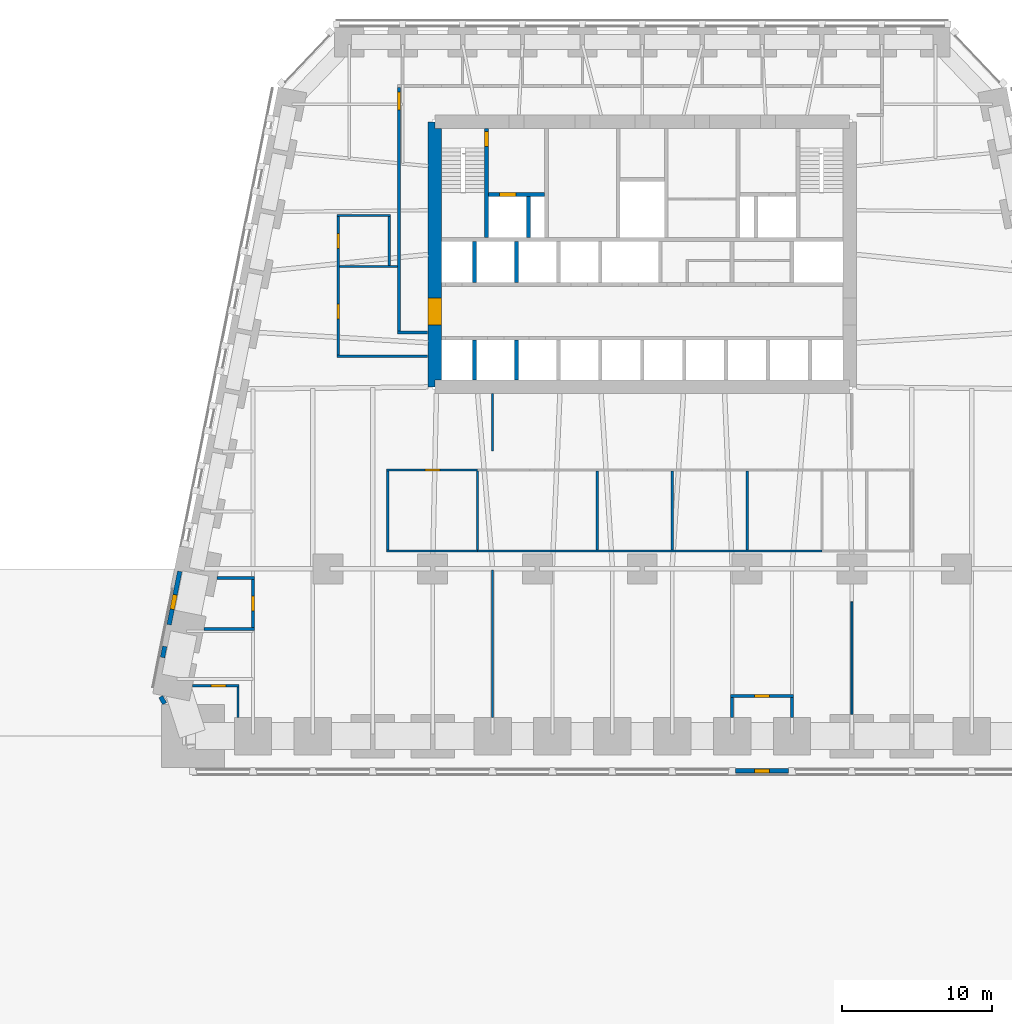
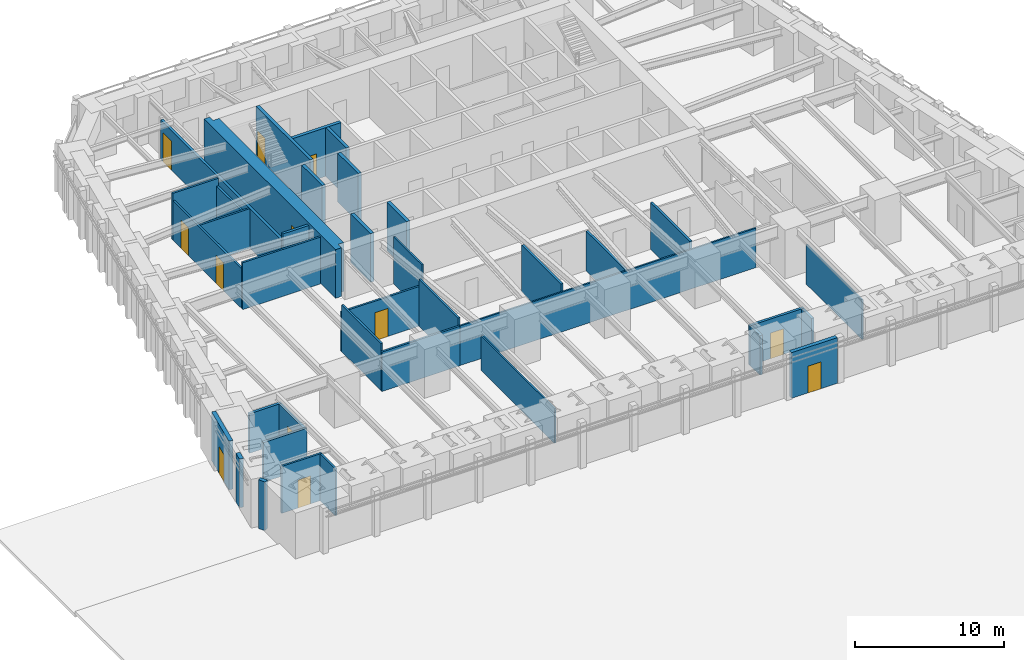
# One storey, part 12 of 18: 38 walls, 12 doors, 12 openings.
"""IFC4 building model written with IfcOpenShell, lengths in metres."""

from ifc_helpers import new_model, si_unit, direction, frame, frame_2d, origin, place, context, subcontext, project, spatial, polyline, rectangle, outline, extrude, material, layer, layer_set, type_object, element, fill, save


model = new_model("IFC4")

# Units and contexts
model_context = context("Model", 3, precision=1e-05, world=origin(), true_north=direction((0.0, 1.0)))
body_context = subcontext(model_context, "Body", "Model", "MODEL_VIEW")
ifc_project = project(units=[si_unit("LENGTHUNIT", "METRE"), si_unit("AREAUNIT", "SQUARE_METRE"), si_unit("VOLUMEUNIT", "CUBIC_METRE"), si_unit("PLANEANGLEUNIT", "RADIAN"), si_unit("MASSUNIT", "GRAM", prefix="KILO")], contexts=[model_context])

# Site, building, storey
site_placement = place(None, origin())
site = spatial("IfcSite", under=ifc_project, at=site_placement, CompositionType="ELEMENT")
building_placement = place(site_placement, origin())
building = spatial("IfcBuilding", under=site, at=building_placement, Name="Isbrekke Arena Tower", CompositionType="ELEMENT")
storey_placement = place(building_placement, frame((0.0, 0.0, 28.0)))
storey = spatial("IfcBuildingStorey", under=building, at=storey_placement, Name="L04", CompositionType="ELEMENT", Elevation=28.0)

# Wall, opening, door
ifc_material_1 = material(Name="Concrete B65 (C65/80)", Category="concrete")
ifc_layer_1 = layer(ifc_material_1, 0.89990234375)
ifc_layer_set_1 = layer_set([ifc_layer_1], Name="CW2 CORE WALL 900")
wall_type_1 = type_object("IfcWallType", Name="CW2 CORE WALL 900", PredefinedType="SHEAR", material=ifc_layer_set_1)
wall_1_placement = place(storey_placement, frame((-13.85009765625, 23.85009765625, 0.0), z_axis=(0.0, 0.0, 1.0), x_axis=(0.0, -1.0, 0.0)))
wall_1 = element("IfcWall", 1, at=wall_1_placement, inside=storey, type_object=wall_type_1, Name="Core wall W L04", PredefinedType="SHEAR", context=body_context, shape_type="SweptSolid", body=[
    extrude(outline(polyline([(0.0, -0.449951171875), (17.7001953125, -0.449951171875), (17.7001953125, 0.0), (17.250244140625, 0.0), (17.250244140625, 0.449951171875), (0.449951171875, 0.449951171875), (0.449951171875, 0.0), (0.0, 0.0), (0.0, -0.449951171875)])), origin(), (0.0, 0.0, 1.0), 4.0),
])
opening_1_placement = place(wall_1_placement, frame((11.75, 0.0, 0.0)))
opening_1 = element("IfcOpeningElement", 2, at=opening_1_placement, cuts=wall_1, Name="Opening D1", PredefinedType="OPENING", context=body_context, shape_type="SweptSolid", body=[
    extrude(rectangle(XDim=1.800048828125, YDim=2.39990234375, at=frame_2d((0.89990234375, 1.199951171875))), frame((0.0, 0.46484375, 0.0), z_axis=(0.0, -1.0, 0.0), x_axis=(1.0, 0.0, 0.0)), (0.0, 0.0, 1.0), 0.9296875),
])
ifc_material_2 = material(Name="Steel-framed glazed fire door", Category="steel")
door_type_1 = type_object("IfcDoorType", Name="D1 CORE LOBBY DOOR 1800 x 2400", OperationType="DOUBLE_DOOR_SINGLE_SWING", PredefinedType="DOOR", material=ifc_material_2)
door_1_placement = place(opening_1_placement, origin())
door_1 = element("IfcDoor", 3, at=door_1_placement, inside=storey, type_object=door_type_1, Name="D1 lift lobby door west L04", OperationType="DOUBLE_DOOR_SINGLE_SWING", OverallHeight=2.39990234375, OverallWidth=1.800048828125, PredefinedType="DOOR", context=body_context, shape_type="SweptSolid", body=[
    extrude(rectangle(XDim=1.800048828125, YDim=2.39990234375, at=frame_2d((0.89990234375, 1.199951171875))), frame((0.0, 0.44970703125, 0.0), z_axis=(0.0, -1.0, 0.0), x_axis=(1.0, 0.0, 0.0)), (0.0, 0.0, 1.0), 0.8994140625),
])
fill(opening_1, door_1)

# Walls
ifc_material_3 = material(Name="Concrete B45 (C45/55)", Category="concrete")
ifc_layer_2 = layer(ifc_material_3, 0.25)
ifc_layer_set_2 = layer_set([ifc_layer_2], Name="CW6 SHAFT WALL 250")
wall_type_2 = type_object("IfcWallType", Name="CW6 SHAFT WALL 250", PredefinedType="SHEAR", material=ifc_layer_set_2)
for number, where, z_axis, x_axis, name in (
    (4, (-11.199951171875, 6.60009765625, 0.0), (0.0, 0.0, 1.0), (0.0, 1.0, 0.0), "Core wall SS01 L04"),
    (5, (-8.39990234375, 6.60009765625, 0.0), (0.0, 0.0, 1.0), (0.0, 1.0, 0.0), "Core wall SS02 L04"),
):
    element("IfcWall", number, at=place(storey_placement, frame(where, z_axis=z_axis, x_axis=x_axis)), inside=storey, type_object=wall_type_2, Name=name, PredefinedType="SHEAR", context=body_context, shape_type="SweptSolid", body=[
        extrude(rectangle(XDim=2.6748046875, YDim=0.25, at=frame_2d((1.33740234375, 0.0))), origin(), (0.0, 0.0, 1.0), 4.0),
    ])
for number, where, z_axis, x_axis, name in (
    (6, (-11.199951171875, 13.125, 0.0), (0.0, 0.0, 1.0), (0.0, 1.0, 0.0), "Core wall SN01 L04"),
    (7, (-8.39990234375, 13.125, 0.0), (0.0, 0.0, 1.0), (0.0, 1.0, 0.0), "Core wall SN02 L04"),
):
    element("IfcWall", number, at=place(storey_placement, frame(where, z_axis=z_axis, x_axis=x_axis)), inside=storey, type_object=wall_type_2, Name=name, PredefinedType="SHEAR", context=body_context, shape_type="SweptSolid", body=[
        extrude(rectangle(XDim=2.75, YDim=0.25, at=frame_2d((1.375, 0.0))), origin(), (0.0, 0.0, 1.0), 4.0),
    ])

# Wall, opening, door
wall_2_placement = place(storey_placement, frame((-10.39990234375, 16.125, 0.0), z_axis=(0.0, 0.0, 1.0), x_axis=(0.0, 1.0, 0.0)))
wall_2 = element("IfcWall", 8, at=wall_2_placement, inside=storey, type_object=wall_type_2, Name="Core wall NV01 L04", PredefinedType="SHEAR", context=body_context, shape_type="SweptSolid", body=[
    extrude(rectangle(XDim=7.27490234375, YDim=0.25, at=frame_2d((3.637451171875, 0.0))), origin(), (0.0, 0.0, 1.0), 4.0),
])
opening_2_placement = place(wall_2_placement, frame((6.074951171875, 0.0, 0.0)))
opening_2 = element("IfcOpeningElement", 9, at=opening_2_placement, cuts=wall_2, Name="Opening D2", PredefinedType="OPENING", context=body_context, shape_type="SweptSolid", body=[
    extrude(rectangle(XDim=1.0, YDim=2.10009765625, at=frame_2d((0.5, 1.050048828125))), frame((0.0, 0.139892578125, 0.0), z_axis=(0.0, -1.0, 0.0), x_axis=(1.0, 0.0, 0.0)), (0.0, 0.0, 1.0), 0.27978515625),
])
ifc_material_4 = material(Name="Steel fire door", Category="steel")
door_type_2 = type_object("IfcDoorType", Name="D2 STAIR DOOR 1000 x 2100", OperationType="SINGLE_SWING_LEFT", PredefinedType="DOOR", material=ifc_material_4)
door_2_placement = place(opening_2_placement, origin())
door_2 = element("IfcDoor", 10, at=door_2_placement, inside=storey, type_object=door_type_2, Name="D2 stair door ST1 L04", OperationType="SINGLE_SWING_LEFT", OverallHeight=2.10009765625, OverallWidth=1.0, PredefinedType="DOOR", context=body_context, shape_type="SweptSolid", body=[
    extrude(rectangle(XDim=1.0, YDim=2.10009765625, at=frame_2d((0.5, 1.050048828125))), frame((0.0, 0.124755859375, 0.0), z_axis=(0.0, -1.0, 0.0), x_axis=(1.0, 0.0, 0.0)), (0.0, 0.0, 1.0), 0.24951171875),
])
fill(opening_2, door_2)

wall_3_placement = place(storey_placement, frame((-10.27490234375, 19.0, 0.0), z_axis=(0.0, 0.0, 1.0), x_axis=(1.0, 0.0, 0.0)))
wall_3 = element("IfcWall", 11, at=wall_3_placement, inside=storey, type_object=wall_type_2, Name="Core wall NFW L04", PredefinedType="SHEAR", context=body_context, shape_type="SweptSolid", body=[
    extrude(rectangle(XDim=3.75, YDim=0.25, at=frame_2d((1.875, 0.0))), origin(), (0.0, 0.0, 1.0), 4.0),
])
opening_3_placement = place(wall_3_placement, frame((0.72509765625, 0.0, 0.0)))
opening_3 = element("IfcOpeningElement", 12, at=opening_3_placement, cuts=wall_3, Name="Opening LD2", PredefinedType="OPENING", context=body_context, shape_type="SweptSolid", body=[
    extrude(rectangle(XDim=1.10009765625, YDim=2.10009765625, at=frame_2d((0.550048828125, 1.050048828125))), frame((0.0, 0.139892578125, 0.0), z_axis=(0.0, -1.0, 0.0), x_axis=(1.0, 0.0, 0.0)), (0.0, 0.0, 1.0), 0.27978515625),
])
ifc_material_5 = material(Name="Stainless steel lift landing door", Category="steel")
door_type_3 = type_object("IfcDoorType", Name="LD2 FIRE-FIGHTING LIFT LANDING DOOR 1100 x 2100", OperationType="SLIDING_TO_RIGHT", PredefinedType="DOOR", material=ifc_material_5)
door_3_placement = place(opening_3_placement, origin())
door_3 = element("IfcDoor", 13, at=door_3_placement, inside=storey, type_object=door_type_3, Name="LD2 lift landing door LF L04", OperationType="SLIDING_TO_RIGHT", OverallHeight=2.10009765625, OverallWidth=1.10009765625, PredefinedType="DOOR", context=body_context, shape_type="SweptSolid", body=[
    extrude(rectangle(XDim=1.10009765625, YDim=2.10009765625, at=frame_2d((0.550048828125, 1.050048828125))), frame((0.0, 0.124755859375, 0.0), z_axis=(0.0, -1.0, 0.0), x_axis=(1.0, 0.0, 0.0)), (0.0, 0.0, 1.0), 0.24951171875),
])
fill(opening_3, door_3)

# Wall
wall_4_placement = place(storey_placement, frame((-7.60009765625, 16.125, 0.0), z_axis=(0.0, 0.0, 1.0), x_axis=(0.0, 1.0, 0.0)))
element("IfcWall", 14, at=wall_4_placement, inside=storey, type_object=wall_type_2, Name="Core wall NFS1 L04", PredefinedType="SHEAR", context=body_context, shape_type="SweptSolid", body=[
    extrude(rectangle(XDim=2.75, YDim=0.25, at=frame_2d((1.375, 0.0))), origin(), (0.0, 0.0, 1.0), 4.0),
])

# Wall, opening, door
ifc_material_6 = material(Name="Insulated aluminium panel on steel framing", Category="steel")
ifc_layer_3 = layer(ifc_material_6, 0.300048828125)
ifc_layer_set_3 = layer_set([ifc_layer_3], Name="EW4 INSULATED PANEL WALL 300")
wall_type_3 = type_object("IfcWallType", Name="EW4 INSULATED PANEL WALL 300", PredefinedType="SOLIDWALL", material=ifc_layer_set_3)
wall_5_placement = place(storey_placement, frame((6.22509765625, -19.5, 0.25), z_axis=(0.0, 0.0, 1.0), x_axis=(1.0, 0.0, 0.0)))
wall_5 = element("IfcWall", 15, at=wall_5_placement, inside=storey, type_object=wall_type_3, Name="EW4 roof access door panel wall L04", PredefinedType="SOLIDWALL", context=body_context, shape_type="SweptSolid", body=[
    extrude(rectangle(XDim=3.5498046875, YDim=0.300048828125, at=frame_2d((1.77490234375, 0.0))), origin(), (0.0, 0.0, 1.0), 3.75),
])
opening_4_placement = place(wall_5_placement, frame((1.27490234375, 0.0, 0.0)))
opening_4 = element("IfcOpeningElement", 16, at=opening_4_placement, cuts=wall_5, Name="Opening DM1", PredefinedType="OPENING", context=body_context, shape_type="SweptSolid", body=[
    extrude(rectangle(XDim=1.0, YDim=2.199951171875, at=frame_2d((0.5, 1.10009765625))), frame((0.0, 0.1650390625, 0.0), z_axis=(0.0, -1.0, 0.0), x_axis=(1.0, 0.0, 0.0)), (0.0, 0.0, 1.0), 0.329833984375),
])
ifc_material_7 = material(Name="Insulated steel door, weatherstripped", Category="steel")
door_type_4 = type_object("IfcDoorType", Name="DM1 ROOF ACCESS DOOR 1000 x 2200", OperationType="SINGLE_SWING_RIGHT", PredefinedType="DOOR", material=ifc_material_7)
door_4_placement = place(opening_4_placement, frame((1.0, 0.0, 0.0), z_axis=(0.0, 0.0, 1.0), x_axis=(-1.0, 0.0, 0.0)))
door_4 = element("IfcDoor", 17, at=door_4_placement, inside=storey, type_object=door_type_4, Name="DM1 roof access door L04 onto the arena roof, maintenance access only", OperationType="SINGLE_SWING_RIGHT", OverallHeight=2.199951171875, OverallWidth=1.0, PredefinedType="DOOR", context=body_context, shape_type="SweptSolid", body=[
    extrude(rectangle(XDim=1.0, YDim=2.199951171875, at=frame_2d((0.5, 1.10009765625))), frame((0.0, 0.14990234375, 0.0), z_axis=(0.0, -1.0, 0.0), x_axis=(1.0, 0.0, 0.0)), (0.0, 0.0, 1.0), 0.299560546875),
])
fill(opening_4, door_4)

# Wall
wall_6_placement = place(storey_placement, frame((-31.890380859375, -11.1767578125, 0.0), z_axis=(0.0, 0.0, 1.0), x_axis=(-0.195867092459, -0.980630451338, 0.0)))
element("IfcWall", 18, at=wall_6_placement, inside=storey, type_object=wall_type_3, Name="EW4 corner closure panel L04-W2", PredefinedType="SOLIDWALL", context=body_context, shape_type="SweptSolid", body=[
    extrude(rectangle(XDim=0.754150390625, YDim=0.300048828125, at=frame_2d((0.376953125, 0.0))), origin(), (0.0, 0.0, 1.0), 4.0),
])

# Wall, opening, door
wall_7_placement = place(storey_placement, frame((-30.88916015625, -6.171630859375, 0.0), z_axis=(0.0, 0.0, 1.0), x_axis=(-0.196167883278, -0.980570324643, 0.0)))
wall_7 = element("IfcWall", 19, at=wall_7_placement, inside=storey, type_object=wall_type_3, Name="EW4 roof access door panel wall L04", PredefinedType="SOLIDWALL", context=body_context, shape_type="SweptSolid", body=[
    extrude(rectangle(XDim=3.629150390625, YDim=0.300048828125, at=frame_2d((1.814453125, 0.0))), origin(), (0.0, 0.0, 1.0), 4.0),
])
opening_5_placement = place(wall_7_placement, frame((1.579833984375, 0.0, 0.0)))
opening_5 = element("IfcOpeningElement", 20, at=opening_5_placement, cuts=wall_7, Name="Opening DM1", PredefinedType="OPENING", context=body_context, shape_type="SweptSolid", body=[
    extrude(rectangle(XDim=1.0, YDim=2.199951171875, at=frame_2d((0.5, 1.10009765625))), frame((0.0, 0.1650390625, 0.0), z_axis=(0.0, -1.0, 0.0), x_axis=(1.0, 0.0, 0.0)), (0.0, 0.0, 1.0), 0.329833984375),
])
door_5_placement = place(opening_5_placement, frame((1.0, 0.0, 0.0), z_axis=(0.0, 0.0, 1.0), x_axis=(-1.0, 0.0, 0.0)))
door_5 = element("IfcDoor", 21, at=door_5_placement, inside=storey, type_object=door_type_4, Name="DM1 roof access door L04 onto the arena roof, maintenance access only", OperationType="SINGLE_SWING_RIGHT", OverallHeight=2.199951171875, OverallWidth=1.0, PredefinedType="DOOR", context=body_context, shape_type="SweptSolid", body=[
    extrude(rectangle(XDim=1.0, YDim=2.199951171875, at=frame_2d((0.5, 1.10009765625))), frame((0.0, 0.14990234375, 0.0), z_axis=(0.0, -1.0, 0.0), x_axis=(1.0, 0.0, 0.0)), (0.0, 0.0, 1.0), 0.299560546875),
])
fill(opening_5, door_5)

# Wall
wall_8_placement = place(storey_placement, frame((-32.160400390625, -14.538818359375, 0.0), z_axis=(0.0, 0.0, 1.0), x_axis=(0.481848081358, -0.876254772593, 0.0)))
element("IfcWall", 22, at=wall_8_placement, inside=storey, type_object=wall_type_3, Name="EW4 corner closure panel L04-WS", PredefinedType="SOLIDWALL", context=body_context, shape_type="SweptSolid", body=[
    extrude(rectangle(XDim=0.530517578125, YDim=0.300048828125, at=frame_2d((0.26513671875, 0.0))), origin(), (0.0, 0.0, 1.0), 4.0),
])

# Wall, opening, door
ifc_material_8 = material(Name="Gypsum board partition on steel studs", Category="steel")
ifc_layer_4 = layer(ifc_material_8, 0.14990234375)
ifc_layer_set_4 = layer_set([ifc_layer_4], Name="IW1 PARTITION 150")
wall_type_4 = type_object("IfcWallType", Name="IW1 PARTITION 150", PredefinedType="PARTITIONING", material=ifc_layer_set_4)
wall_9_placement = place(storey_placement, frame((-30.0439453125, -13.800048828125, 0.0), z_axis=(0.0, 0.0, 1.0), x_axis=(1.0, 0.0, 0.0)))
wall_9 = element("IfcWall", 23, at=wall_9_placement, inside=storey, type_object=wall_type_4, Name="IW1 partition 150 L04", PredefinedType="PARTITIONING", context=body_context, shape_type="SweptSolid", body=[
    extrude(rectangle(XDim=3.118896484375, YDim=0.14990234375, at=frame_2d((1.5595703125, 0.0))), origin(), (0.0, 0.0, 1.0), 3.85009765625),
])
opening_6_placement = place(wall_9_placement, frame((1.243896484375, 0.0, 0.0)))
opening_6 = element("IfcOpeningElement", 24, at=opening_6_placement, cuts=wall_9, Name="Opening D10", PredefinedType="OPENING", context=body_context, shape_type="SweptSolid", body=[
    extrude(rectangle(XDim=1.0, YDim=2.300048828125, at=frame_2d((0.5, 1.14990234375))), frame((0.0, 0.08984375, 0.0), z_axis=(0.0, -1.0, 0.0), x_axis=(1.0, 0.0, 0.0)), (0.0, 0.0, 1.0), 0.1796875),
])
ifc_material_9 = material(Name="Timber door", Category="wood")
door_type_5 = type_object("IfcDoorType", Name="D10 OFFICE DOOR 1000 x 2300", OperationType="SINGLE_SWING_LEFT", PredefinedType="DOOR", material=ifc_material_9)
door_6_placement = place(opening_6_placement, origin())
door_6 = element("IfcDoor", 25, at=door_6_placement, inside=storey, type_object=door_type_5, Name="D10 roof maintenance store door L04", OperationType="SINGLE_SWING_LEFT", OverallHeight=2.300048828125, OverallWidth=1.0, PredefinedType="DOOR", context=body_context, shape_type="SweptSolid", body=[
    extrude(rectangle(XDim=1.0, YDim=2.300048828125, at=frame_2d((0.5, 1.14990234375))), frame((0.0, 0.07470703125, 0.0), z_axis=(0.0, -1.0, 0.0), x_axis=(1.0, 0.0, 0.0)), (0.0, 0.0, 1.0), 0.1494140625),
])
fill(opening_6, door_6)

# Wall
wall_10_placement = place(storey_placement, frame((-17.074951171875, -4.800048828125, 0.0), z_axis=(0.0, 0.0, 1.0), x_axis=(1.0, 0.0, 0.0)))
element("IfcWall", 26, at=wall_10_placement, inside=storey, type_object=wall_type_4, Name="IW1 partition 150 L04", PredefinedType="PARTITIONING", context=body_context, shape_type="SweptSolid", body=[
    extrude(rectangle(XDim=6.074951171875, YDim=0.14990234375, at=frame_2d((3.03759765625, 0.0))), origin(), (0.0, 0.0, 1.0), 3.25),
])

# Wall, opening, door
wall_11_placement = place(storey_placement, frame((-17.074951171875, 0.60009765625, 0.0), z_axis=(0.0, 0.0, 1.0), x_axis=(1.0, 0.0, 0.0)))
wall_11 = element("IfcWall", 27, at=wall_11_placement, inside=storey, type_object=wall_type_4, Name="IW1 partition 150 L04", PredefinedType="PARTITIONING", context=body_context, shape_type="SweptSolid", body=[
    extrude(rectangle(XDim=6.074951171875, YDim=0.14990234375, at=frame_2d((3.03759765625, 0.0))), origin(), (0.0, 0.0, 1.0), 3.25),
])
opening_7_placement = place(wall_11_placement, frame((2.574951171875, 0.0, 0.0)))
opening_7 = element("IfcOpeningElement", 28, at=opening_7_placement, cuts=wall_11, Name="Opening D10", PredefinedType="OPENING", context=body_context, shape_type="SweptSolid", body=[
    extrude(rectangle(XDim=1.0, YDim=2.300048828125, at=frame_2d((0.5, 1.14990234375))), frame((0.0, 0.08984375, 0.0), z_axis=(0.0, -1.0, 0.0), x_axis=(1.0, 0.0, 0.0)), (0.0, 0.0, 1.0), 0.1796875),
])
door_7_placement = place(opening_7_placement, origin())
door_7 = element("IfcDoor", 29, at=door_7_placement, inside=storey, type_object=door_type_5, Name="D10 pantry door L04", OperationType="SINGLE_SWING_LEFT", OverallHeight=2.300048828125, OverallWidth=1.0, PredefinedType="DOOR", context=body_context, shape_type="SweptSolid", body=[
    extrude(rectangle(XDim=1.0, YDim=2.300048828125, at=frame_2d((0.5, 1.14990234375))), frame((0.0, 0.07470703125, 0.0), z_axis=(0.0, -1.0, 0.0), x_axis=(1.0, 0.0, 0.0)), (0.0, 0.0, 1.0), 0.1494140625),
])
fill(opening_7, door_7)

# Walls
wall_12_placement = place(storey_placement, frame((-20.375, 8.199951171875, 0.0), z_axis=(0.0, 0.0, 1.0), x_axis=(1.0, 0.0, 0.0)))
element("IfcWall", 30, at=wall_12_placement, inside=storey, type_object=wall_type_4, Name="IW1 partition 150 L04", PredefinedType="PARTITIONING", context=body_context, shape_type="SweptSolid", body=[
    extrude(rectangle(XDim=6.044921875, YDim=0.14990234375, at=frame_2d((3.0224609375, 0.0))), origin(), (0.0, 0.0, 1.0), 3.85009765625),
])
wall_13_placement = place(storey_placement, frame((-20.22509765625, 14.199951171875, 0.0), z_axis=(0.0, 0.0, 1.0), x_axis=(1.0, 0.0, 0.0)))
element("IfcWall", 31, at=wall_13_placement, inside=storey, type_object=wall_type_4, Name="IW1 partition 150 L04", PredefinedType="PARTITIONING", context=body_context, shape_type="SweptSolid", body=[
    extrude(rectangle(XDim=3.875, YDim=0.14990234375, at=frame_2d((1.9375, 0.0))), origin(), (0.0, 0.0, 1.0), 3.25),
])
wall_14_placement = place(storey_placement, frame((-20.375, 17.60009765625, 0.0), z_axis=(0.0, 0.0, 1.0), x_axis=(1.0, 0.0, 0.0)))
element("IfcWall", 32, at=wall_14_placement, inside=storey, type_object=wall_type_4, Name="IW1 partition 150 L04", PredefinedType="PARTITIONING", context=body_context, shape_type="SweptSolid", body=[
    extrude(rectangle(XDim=3.550048828125, YDim=0.14990234375, at=frame_2d((1.77490234375, 0.0))), origin(), (0.0, 0.0, 1.0), 3.85009765625),
])
wall_15_placement = place(storey_placement, frame((-27.0, -15.925048828125, 0.0), z_axis=(0.0, 0.0, 1.0), x_axis=(0.0, 1.0, 0.0)))
element("IfcWall", 33, at=wall_15_placement, inside=storey, type_object=wall_type_4, Name="IW1 partition 150 L04", PredefinedType="PARTITIONING", context=body_context, shape_type="SweptSolid", body=[
    extrude(rectangle(XDim=2.050048828125, YDim=0.14990234375, at=frame_2d((1.02490234375, 0.0))), origin(), (0.0, 0.0, 1.0), 3.85009765625),
])

# Wall, openings, doors
wall_16_placement = place(storey_placement, frame((-20.300048828125, 8.27490234375, 0.0), z_axis=(0.0, 0.0, 1.0), x_axis=(0.0, 1.0, 0.0)))
wall_16 = element("IfcWall", 34, at=wall_16_placement, inside=storey, type_object=wall_type_4, Name="IW1 partition 150 L04", PredefinedType="PARTITIONING", context=body_context, shape_type="SweptSolid", body=[
    extrude(rectangle(XDim=9.25, YDim=0.14990234375, at=frame_2d((4.625, 0.0))), origin(), (0.0, 0.0, 1.0), 3.25),
])
opening_8_placement = place(wall_16_placement, frame((2.425048828125, 0.0, 0.0)))
opening_8 = element("IfcOpeningElement", 35, at=opening_8_placement, cuts=wall_16, Name="Opening D10", PredefinedType="OPENING", context=body_context, shape_type="SweptSolid", body=[
    extrude(rectangle(XDim=1.0, YDim=2.300048828125, at=frame_2d((0.5, 1.14990234375))), frame((0.0, 0.08984375, 0.0), z_axis=(0.0, -1.0, 0.0), x_axis=(1.0, 0.0, 0.0)), (0.0, 0.0, 1.0), 0.1796875),
])
opening_9_placement = place(wall_16_placement, frame((7.125, 0.0, 0.0)))
opening_9 = element("IfcOpeningElement", 36, at=opening_9_placement, cuts=wall_16, Name="Opening D10", PredefinedType="OPENING", context=body_context, shape_type="SweptSolid", body=[
    extrude(rectangle(XDim=1.0, YDim=2.300048828125, at=frame_2d((0.5, 1.14990234375))), frame((0.0, 0.08984375, 0.0), z_axis=(0.0, -1.0, 0.0), x_axis=(1.0, 0.0, 0.0)), (0.0, 0.0, 1.0), 0.1796875),
])
door_8_placement = place(opening_8_placement, origin())
door_8 = element("IfcDoor", 37, at=door_8_placement, inside=storey, type_object=door_type_5, Name="D10 reception door L04", OperationType="SINGLE_SWING_LEFT", OverallHeight=2.300048828125, OverallWidth=1.0, PredefinedType="DOOR", context=body_context, shape_type="SweptSolid", body=[
    extrude(rectangle(XDim=1.0, YDim=2.300048828125, at=frame_2d((0.5, 1.14990234375))), frame((0.0, 0.07470703125, 0.0), z_axis=(0.0, -1.0, 0.0), x_axis=(1.0, 0.0, 0.0)), (0.0, 0.0, 1.0), 0.1494140625),
])
fill(opening_8, door_8)
door_9_placement = place(opening_9_placement, origin())
door_9 = element("IfcDoor", 38, at=door_9_placement, inside=storey, type_object=door_type_5, Name="D10 cloakroom door L04", OperationType="SINGLE_SWING_LEFT", OverallHeight=2.300048828125, OverallWidth=1.0, PredefinedType="DOOR", context=body_context, shape_type="SweptSolid", body=[
    extrude(rectangle(XDim=1.0, YDim=2.300048828125, at=frame_2d((0.5, 1.14990234375))), frame((0.0, 0.07470703125, 0.0), z_axis=(0.0, -1.0, 0.0), x_axis=(1.0, 0.0, 0.0)), (0.0, 0.0, 1.0), 0.1494140625),
])
fill(opening_9, door_9)

# Walls
wall_17_placement = place(storey_placement, frame((-17.0, -4.72509765625, 0.0), z_axis=(0.0, 0.0, 1.0), x_axis=(0.0, 1.0, 0.0)))
element("IfcWall", 39, at=wall_17_placement, inside=storey, type_object=wall_type_4, Name="IW1 partition 150 L04", PredefinedType="PARTITIONING", context=body_context, shape_type="SweptSolid", body=[
    extrude(rectangle(XDim=5.25, YDim=0.14990234375, at=frame_2d((2.625, 0.0))), origin(), (0.0, 0.0, 1.0), 3.85009765625),
])
wall_18_placement = place(storey_placement, frame((-16.89990234375, 14.27490234375, 0.0), z_axis=(0.0, 0.0, 1.0), x_axis=(0.0, 1.0, 0.0)))
element("IfcWall", 40, at=wall_18_placement, inside=storey, type_object=wall_type_4, Name="IW1 partition 150 L04", PredefinedType="PARTITIONING", context=body_context, shape_type="SweptSolid", body=[
    extrude(rectangle(XDim=3.25, YDim=0.14990234375, at=frame_2d((1.625, 0.0))), origin(), (0.0, 0.0, 1.0), 3.25),
])
wall_19_placement = place(storey_placement, frame((-11.0, -4.72509765625, 0.0), z_axis=(0.0, 0.0, 1.0), x_axis=(0.0, 1.0, 0.0)))
element("IfcWall", 41, at=wall_19_placement, inside=storey, type_object=wall_type_4, Name="IW1 partition 150 L04", PredefinedType="PARTITIONING", context=body_context, shape_type="SweptSolid", body=[
    extrude(rectangle(XDim=5.25, YDim=0.14990234375, at=frame_2d((2.625, 0.0))), origin(), (0.0, 0.0, 1.0), 3.85009765625),
])
ifc_material_10 = material(Name="Frameless glazed partition, laminated acoustic glass", Category="glass")
ifc_layer_5 = layer(ifc_material_10, 0.1201171875)
ifc_layer_set_5 = layer_set([ifc_layer_5], Name="IW2 GLAZED PARTITION 120")
wall_type_5 = type_object("IfcWallType", Name="IW2 GLAZED PARTITION 120", PredefinedType="PARTITIONING", material=ifc_layer_set_5)
wall_20_placement = place(storey_placement, frame((-11.0, -4.800048828125, 0.0), z_axis=(0.0, 0.0, 1.0), x_axis=(1.0, 0.0, 0.0)))
element("IfcWall", 42, at=wall_20_placement, inside=storey, type_object=wall_type_5, Name="IW2 glazed partition 120 L04", PredefinedType="PARTITIONING", context=body_context, shape_type="SweptSolid", body=[
    extrude(rectangle(XDim=23.0, YDim=0.1201171875, at=frame_2d((11.5, 0.0))), origin(), (0.0, 0.0, 1.0), 3.25),
])
wall_21_placement = place(storey_placement, frame((-9.9990234375, -15.925048828125, 0.0), z_axis=(0.0, 0.0, 1.0), x_axis=(0.0, 1.0, 0.0)))
element("IfcWall", 43, at=wall_21_placement, inside=storey, type_object=wall_type_5, Name="IW2 glazed partition 120 L04", PredefinedType="PARTITIONING", context=body_context, shape_type="SweptSolid", body=[
    extrude(rectangle(XDim=9.844970703125, YDim=0.1201171875, at=frame_2d((4.92236328125, 0.0))), origin(), (0.0, 0.0, 1.0), 2.842041015625),
])
wall_22_placement = place(storey_placement, frame((-9.9990234375, 1.8798828125, 0.0), z_axis=(0.0, 0.0, 1.0), x_axis=(0.0, 1.0, 0.0)))
element("IfcWall", 44, at=wall_22_placement, inside=storey, type_object=wall_type_5, Name="IW2 glazed partition 120 L04", PredefinedType="PARTITIONING", context=body_context, shape_type="SweptSolid", body=[
    extrude(rectangle(XDim=3.820068359375, YDim=0.1201171875, at=frame_2d((1.91015625, 0.0))), origin(), (0.0, 0.0, 1.0), 3.85009765625),
])
wall_23_placement = place(storey_placement, frame((14.0009765625, -15.72509765625, 0.0), z_axis=(0.0, 0.0, 1.0), x_axis=(0.0, 1.0, 0.0)))
element("IfcWall", 45, at=wall_23_placement, inside=storey, type_object=wall_type_5, Name="IW2 glazed partition 120 L04", PredefinedType="PARTITIONING", context=body_context, shape_type="SweptSolid", body=[
    extrude(rectangle(XDim=7.525146484375, YDim=0.1201171875, at=frame_2d((3.7626953125, 0.0))), origin(), (0.0, 0.0, 1.0), 3.25),
])

# Wall, opening, door
ifc_material_11 = material(Name="Gypsum board fire-cell wall on steel studs, two layers each side", Category="steel")
ifc_layer_6 = layer(ifc_material_11, 0.199951171875)
ifc_layer_set_6 = layer_set([ifc_layer_6], Name="IW3 FIRE-CELL WALL 200")
wall_type_6 = type_object("IfcWallType", Name="IW3 FIRE-CELL WALL 200", PredefinedType="PARTITIONING", material=ifc_layer_set_6)
wall_24_placement = place(storey_placement, frame((5.89990234375, -14.5, 0.0), z_axis=(0.0, 0.0, 1.0), x_axis=(1.0, 0.0, 0.0)))
wall_24 = element("IfcWall", 46, at=wall_24_placement, inside=storey, type_object=wall_type_6, Name="IW3 fire-cell wall 200 L04", PredefinedType="PARTITIONING", context=body_context, shape_type="SweptSolid", body=[
    extrude(rectangle(XDim=4.2001953125, YDim=0.199951171875, at=frame_2d((2.10009765625, 0.0))), origin(), (0.0, 0.0, 1.0), 3.25),
])
opening_10_placement = place(wall_24_placement, frame((1.60009765625, 0.0, 0.0)))
opening_10 = element("IfcOpeningElement", 47, at=opening_10_placement, cuts=wall_24, Name="Opening D3", PredefinedType="OPENING", context=body_context, shape_type="SweptSolid", body=[
    extrude(rectangle(XDim=1.0, YDim=2.10009765625, at=frame_2d((0.5, 1.050048828125))), frame((0.0, 0.11474609375, 0.0), z_axis=(0.0, -1.0, 0.0), x_axis=(1.0, 0.0, 0.0)), (0.0, 0.0, 1.0), 0.229736328125),
])
ifc_material_12 = material(Name="Steel fire door", Category="steel")
door_type_6 = type_object("IfcDoorType", Name="D3 FIRE LOBBY DOOR 1000 x 2100", OperationType="SINGLE_SWING_RIGHT", PredefinedType="DOOR", material=ifc_material_12)
door_10_placement = place(opening_10_placement, origin())
door_10 = element("IfcDoor", 48, at=door_10_placement, inside=storey, type_object=door_type_6, Name="D3 roof access lobby door L04", OperationType="SINGLE_SWING_RIGHT", OverallHeight=2.10009765625, OverallWidth=1.0, PredefinedType="DOOR", context=body_context, shape_type="SweptSolid", body=[
    extrude(rectangle(XDim=1.0, YDim=2.10009765625, at=frame_2d((0.5, 1.050048828125))), frame((0.0, 0.099609375, 0.0), z_axis=(0.0, -1.0, 0.0), x_axis=(1.0, 0.0, 0.0)), (0.0, 0.0, 1.0), 0.199462890625),
])
fill(opening_10, door_10)

# Walls
wall_25_placement = place(storey_placement, frame((-29.283935546875, -10.0, 0.0), z_axis=(0.0, 0.0, 1.0), x_axis=(1.0, 0.0, 0.0)))
element("IfcWall", 49, at=wall_25_placement, inside=storey, type_object=wall_type_6, Name="IW3 fire-cell wall 200 L04", PredefinedType="PARTITIONING", context=body_context, shape_type="SweptSolid", body=[
    extrude(rectangle(XDim=3.384033203125, YDim=0.199951171875, at=frame_2d((1.69189453125, 0.0))), origin(), (0.0, 0.0, 1.0), 3.25),
])
wall_26_placement = place(storey_placement, frame((-28.39990234375, -6.60009765625, 0.0), z_axis=(0.0, 0.0, 1.0), x_axis=(1.0, 0.0, 0.0)))
element("IfcWall", 50, at=wall_26_placement, inside=storey, type_object=wall_type_6, Name="IW3 fire-cell wall 200 L04", PredefinedType="PARTITIONING", context=body_context, shape_type="SweptSolid", body=[
    extrude(rectangle(XDim=2.5, YDim=0.199951171875, at=frame_2d((1.25, 0.0))), origin(), (0.0, 0.0, 1.0), 3.25),
])
wall_27_placement = place(storey_placement, frame((-16.35009765625, 9.800048828125, 0.0), z_axis=(0.0, 0.0, 1.0), x_axis=(1.0, 0.0, 0.0)))
element("IfcWall", 51, at=wall_27_placement, inside=storey, type_object=wall_type_6, Name="IW3 fire-cell wall 200 L04", PredefinedType="PARTITIONING", context=body_context, shape_type="SweptSolid", body=[
    extrude(rectangle(XDim=2.02001953125, YDim=0.199951171875, at=frame_2d((1.010009765625, 0.0))), origin(), (0.0, 0.0, 1.0), 3.85009765625),
])

# Wall, opening, door
wall_28_placement = place(storey_placement, frame((-26.0, -9.89990234375, 0.0), z_axis=(0.0, 0.0, 1.0), x_axis=(0.0, 1.0, 0.0)))
wall_28 = element("IfcWall", 52, at=wall_28_placement, inside=storey, type_object=wall_type_6, Name="IW3 fire-cell wall 200 L04", PredefinedType="PARTITIONING", context=body_context, shape_type="SweptSolid", body=[
    extrude(rectangle(XDim=3.199951171875, YDim=0.199951171875, at=frame_2d((1.60009765625, 0.0))), origin(), (0.0, 0.0, 1.0), 3.25),
])
opening_11_placement = place(wall_28_placement, frame((1.10009765625, 0.0, 0.0)))
opening_11 = element("IfcOpeningElement", 53, at=opening_11_placement, cuts=wall_28, Name="Opening D3", PredefinedType="OPENING", context=body_context, shape_type="SweptSolid", body=[
    extrude(rectangle(XDim=1.0, YDim=2.10009765625, at=frame_2d((0.5, 1.050048828125))), frame((0.0, 0.11474609375, 0.0), z_axis=(0.0, -1.0, 0.0), x_axis=(1.0, 0.0, 0.0)), (0.0, 0.0, 1.0), 0.229736328125),
])
door_11_placement = place(opening_11_placement, origin())
door_11 = element("IfcDoor", 54, at=door_11_placement, inside=storey, type_object=door_type_6, Name="D3 roof access lobby door L04", OperationType="SINGLE_SWING_RIGHT", OverallHeight=2.10009765625, OverallWidth=1.0, PredefinedType="DOOR", context=body_context, shape_type="SweptSolid", body=[
    extrude(rectangle(XDim=1.0, YDim=2.10009765625, at=frame_2d((0.5, 1.050048828125))), frame((0.0, 0.099609375, 0.0), z_axis=(0.0, -1.0, 0.0), x_axis=(1.0, 0.0, 0.0)), (0.0, 0.0, 1.0), 0.199462890625),
])
fill(opening_11, door_11)

wall_29_placement = place(storey_placement, frame((-16.25, 9.89990234375, 0.0), z_axis=(0.0, 0.0, 1.0), x_axis=(0.0, 1.0, 0.0)))
wall_29 = element("IfcWall", 55, at=wall_29_placement, inside=storey, type_object=wall_type_6, Name="IW3 fire-cell wall 200 L04", PredefinedType="PARTITIONING", context=body_context, shape_type="SweptSolid", body=[
    extrude(rectangle(XDim=16.25, YDim=0.199951171875, at=frame_2d((8.125, 0.0))), origin(), (0.0, 0.0, 1.0), 3.25),
])
opening_12_placement = place(wall_29_placement, frame((14.75, 0.0, 0.0)))
opening_12 = element("IfcOpeningElement", 56, at=opening_12_placement, cuts=wall_29, Name="Opening D12", PredefinedType="OPENING", context=body_context, shape_type="SweptSolid", body=[
    extrude(rectangle(XDim=1.199951171875, YDim=2.39990234375, at=frame_2d((0.60009765625, 1.199951171875))), frame((0.0, 0.11474609375, 0.0), z_axis=(0.0, -1.0, 0.0), x_axis=(1.0, 0.0, 0.0)), (0.0, 0.0, 1.0), 0.229736328125),
])
ifc_material_13 = material(Name="Timber fire door with vision panel", Category="wood")
door_type_7 = type_object("IfcDoorType", Name="D12 SUITE ENTRANCE DOOR 1200 x 2400", OperationType="SINGLE_SWING_LEFT", PredefinedType="DOOR", material=ifc_material_13)
door_12_placement = place(opening_12_placement, origin())
door_12 = element("IfcDoor", 57, at=door_12_placement, inside=storey, type_object=door_type_7, Name="D12 suite entrance A door L04", OperationType="SINGLE_SWING_LEFT", OverallHeight=2.39990234375, OverallWidth=1.199951171875, PredefinedType="DOOR", context=body_context, shape_type="SweptSolid", body=[
    extrude(rectangle(XDim=1.199951171875, YDim=2.39990234375, at=frame_2d((0.60009765625, 1.199951171875))), frame((0.0, 0.099609375, 0.0), z_axis=(0.0, -1.0, 0.0), x_axis=(1.0, 0.0, 0.0)), (0.0, 0.0, 1.0), 0.199462890625),
])
fill(opening_12, door_12)

# Walls
for number, where, z_axis, x_axis, name in (
    (58, (6.0, -15.925048828125, 0.0), (0.0, 0.0, 1.0), (0.0, 1.0, 0.0), "IW3 fire-cell wall 200 L04"),
    (59, (10.0, -15.925048828125, 0.0), (0.0, 0.0, 1.0), (0.0, 1.0, 0.0), "IW3 fire-cell wall 200 L04"),
):
    element("IfcWall", number, at=place(storey_placement, frame(where, z_axis=z_axis, x_axis=x_axis)), inside=storey, type_object=wall_type_6, Name=name, PredefinedType="PARTITIONING", context=body_context, shape_type="SweptSolid", body=[
        extrude(rectangle(XDim=1.324951171875, YDim=0.199951171875, at=frame_2d((0.66259765625, 0.0))), origin(), (0.0, 0.0, 1.0), 3.25),
    ])
ifc_material_14 = material(Name="Gypsum board acoustic partition on twin steel studs", Category="steel")
ifc_layer_7 = layer(ifc_material_14, 0.175048828125)
ifc_layer_set_7 = layer_set([ifc_layer_7], Name="IW4 ACOUSTIC PARTITION 175")
wall_type_7 = type_object("IfcWallType", Name="IW4 ACOUSTIC PARTITION 175", PredefinedType="PARTITIONING", material=ifc_layer_set_7)
wall_30_placement = place(storey_placement, frame((-3.0, -4.739990234375, 0.0), z_axis=(0.0, 0.0, 1.0), x_axis=(0.0, 1.0, 0.0)))
element("IfcWall", 60, at=wall_30_placement, inside=storey, type_object=wall_type_7, Name="IW4 acoustic partition 175 L04", PredefinedType="PARTITIONING", context=body_context, shape_type="SweptSolid", body=[
    extrude(rectangle(XDim=5.280029296875, YDim=0.175048828125, at=frame_2d((2.64013671875, 0.0))), origin(), (0.0, 0.0, 1.0), 3.85009765625),
])
wall_31_placement = place(storey_placement, frame((2.0, -4.739990234375, 0.0), z_axis=(0.0, 0.0, 1.0), x_axis=(0.0, 1.0, 0.0)))
element("IfcWall", 61, at=wall_31_placement, inside=storey, type_object=wall_type_7, Name="IW4 acoustic partition 175 L04", PredefinedType="PARTITIONING", context=body_context, shape_type="SweptSolid", body=[
    extrude(rectangle(XDim=5.280029296875, YDim=0.175048828125, at=frame_2d((2.64013671875, 0.0))), origin(), (0.0, 0.0, 1.0), 3.25),
])
wall_32_placement = place(storey_placement, frame((7.0, -4.739990234375, 0.0), z_axis=(0.0, 0.0, 1.0), x_axis=(0.0, 1.0, 0.0)))
element("IfcWall", 62, at=wall_32_placement, inside=storey, type_object=wall_type_7, Name="IW4 acoustic partition 175 L04", PredefinedType="PARTITIONING", context=body_context, shape_type="SweptSolid", body=[
    extrude(rectangle(XDim=5.280029296875, YDim=0.175048828125, at=frame_2d((2.64013671875, 0.0))), origin(), (0.0, 0.0, 1.0), 3.85009765625),
])

save(model, "model.ifc")
